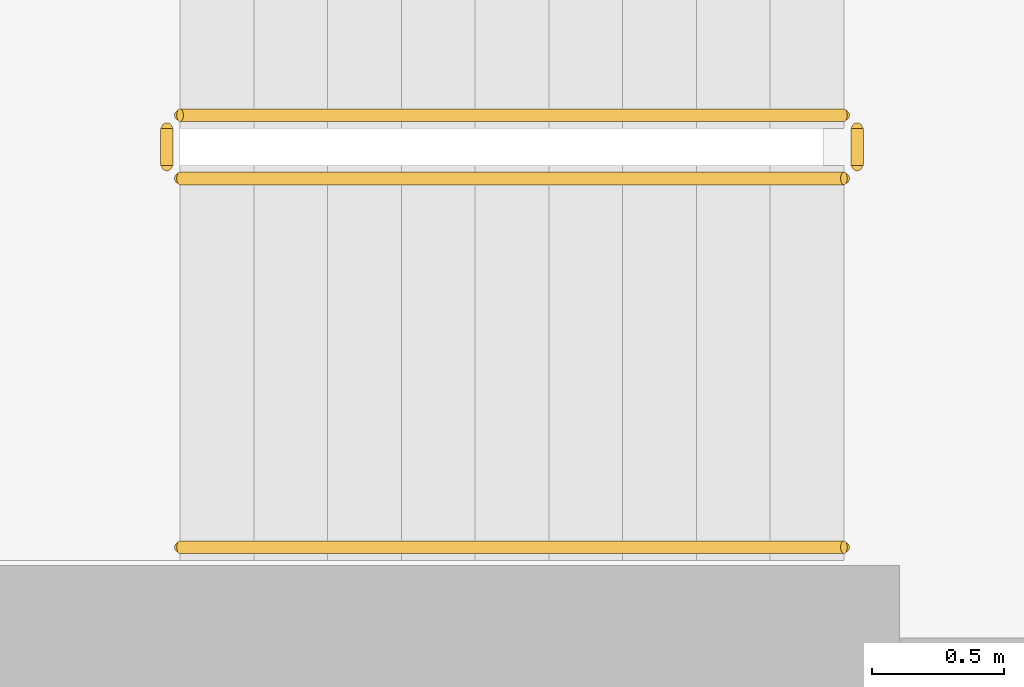
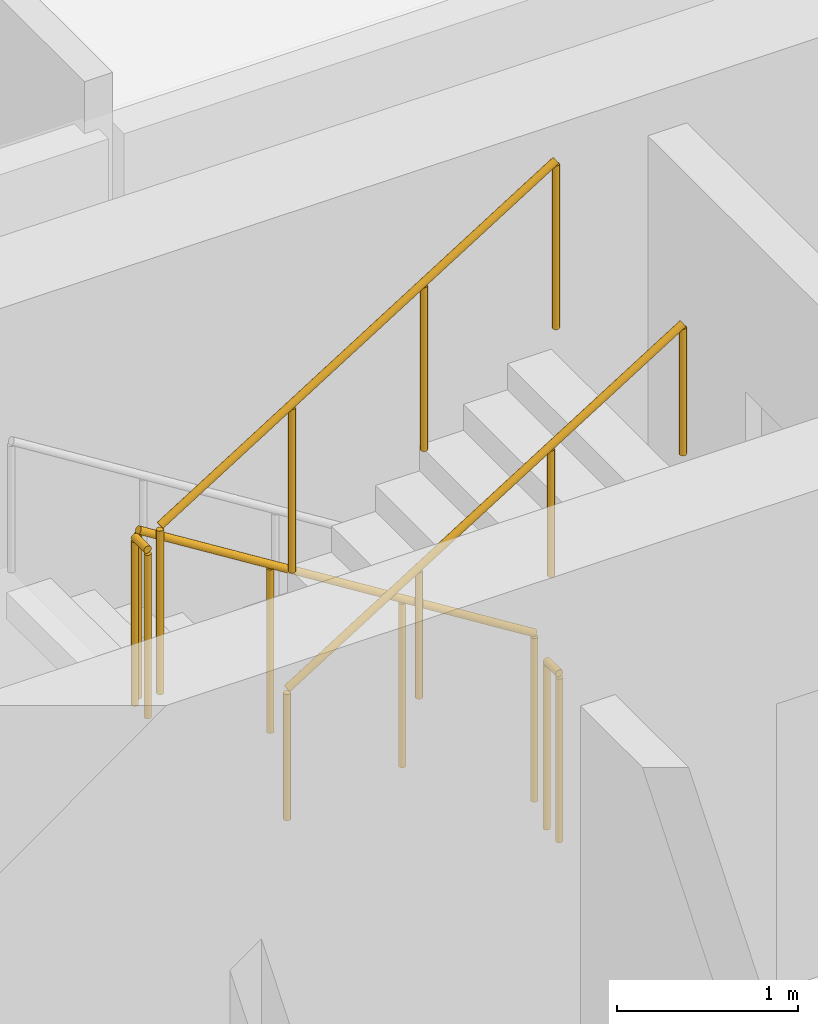
# One storey, part 24 of 26: 5 railings.
"""IFC4 building model written with IfcOpenShell, lengths in metres."""

import ifcopenshell
import ifcopenshell.guid

model = None  # the IFC model being written
_history = None  # IfcOwnerHistory: only IFC2X3 demands one
_inside = {}  # id of a spatial element -> (the spatial element, [elements in it])
_under = {}  # id of a project, library or spatial element -> (it, [spatial elements below it])
_declared = {}  # id of a project -> (the project, [libraries it declares])
_typed = {}  # id of a type object -> (the type object, [elements of that type])
_made_of = {}  # id of a material, layer set ... -> (it, [elements and type objects made of it])


def new_model(schema):
    """Start an empty IFC model of exactly this schema.

    Asked for "IFC4X3", IfcOpenShell would pick the latest addendum, in which some entities
    have other attributes; the version numbers below select the first issue.
    IFC2X3 requires an IfcOwnerHistory on every rooted entity: one is made here for all.
    """
    global model, _history
    if schema == "IFC4X3":
        model = ifcopenshell.file(schema_version=(4, 3, 0, 0))
    else:
        model = ifcopenshell.file(schema=schema)
    _inside.clear()
    _under.clear()
    _declared.clear()
    _typed.clear()
    _made_of.clear()
    _history = None
    if model.schema == "IFC2X3":
        org = make("IfcOrganization", Name="unknown")
        user = make(
            "IfcPersonAndOrganization",
            ThePerson=make("IfcPerson", FamilyName="unknown"),
            TheOrganization=org,
        )
        app = make(
            "IfcApplication",
            ApplicationDeveloper=org,
            Version="unknown",
            ApplicationFullName="unknown",
            ApplicationIdentifier="unknown",
        )
        _history = make(
            "IfcOwnerHistory",
            OwningUser=user,
            OwningApplication=app,
            ChangeAction="ADDED",
            CreationDate=0,
        )
    return model


def make(cls, **values):
    """One entity of the class cls with the attributes given. An attribute that is None is left unset."""
    return model.create_entity(
        cls, **{name: value for name, value in values.items() if value is not None}
    )


def rooted(cls, **values):
    """An entity with a GlobalId (a new one), such as an element, a storey or a relation."""
    return make(cls, GlobalId=ifcopenshell.guid.new(), OwnerHistory=_history, **values)


def si_unit(unit_type, name, prefix=None):
    """IfcSIUnit, for example si_unit("LENGTHUNIT", "METRE", prefix="MILLI")."""
    return make("IfcSIUnit", UnitType=unit_type, Prefix=prefix, Name=name)


def derived_unit(unit_type, elements):
    """IfcDerivedUnit: a product of units, each with its exponent."""
    return make(
        "IfcDerivedUnit",
        Elements=[
            make("IfcDerivedUnitElement", Unit=unit, Exponent=power)
            for unit, power in elements
        ],
        UnitType=unit_type,
    )


def assignment(units):
    """IfcUnitAssignment: the units of a project."""
    return None if units is None else make("IfcUnitAssignment", Units=units)


def point(xyz):
    """IfcCartesianPoint."""
    return None if xyz is None else make("IfcCartesianPoint", Coordinates=xyz)


def direction(xyz):
    """IfcDirection."""
    return None if xyz is None else make("IfcDirection", DirectionRatios=xyz)


def frame(location, z_axis=None, x_axis=None):
    """IfcAxis2Placement3D, a coordinate frame: its origin and axes. An axis left out is left unset."""
    return make(
        "IfcAxis2Placement3D",
        Location=point(location),
        Axis=direction(z_axis),
        RefDirection=direction(x_axis),
    )


def frame_2d(location, x_axis=None):
    """IfcAxis2Placement2D, a coordinate frame in the plane: its origin and x axis."""
    return make(
        "IfcAxis2Placement2D", Location=point(location), RefDirection=direction(x_axis)
    )


def origin():
    """The frame at (0, 0, 0) with its axes left unset."""
    return frame((0.0, 0.0, 0.0))


def origin_2d():
    """The frame at (0, 0) in the plane with its x axis left unset."""
    return frame_2d((0.0, 0.0))


def place(relative_to, where):
    """IfcLocalPlacement: puts the frame where relative to a parent placement (None: the world)."""
    return make(
        "IfcLocalPlacement", PlacementRelTo=relative_to, RelativePlacement=where
    )


def context(
    kind, dimensions, precision=None, world=None, true_north=None, identifier=None
):
    """IfcGeometricRepresentationContext, for example the 3D "Model" context."""
    return make(
        "IfcGeometricRepresentationContext",
        ContextIdentifier=identifier,
        ContextType=kind,
        CoordinateSpaceDimension=dimensions,
        Precision=precision,
        WorldCoordinateSystem=world,
        TrueNorth=true_north,
    )


def subcontext(parent, identifier, kind, view, scale=None):
    """IfcGeometricRepresentationSubContext, for example "Body" below "Model"."""
    return make(
        "IfcGeometricRepresentationSubContext",
        ContextIdentifier=identifier,
        ContextType=kind,
        ParentContext=parent,
        TargetScale=scale,
        TargetView=view,
    )


def project(units=None, contexts=None):
    """IfcProject with its units and contexts."""
    return rooted(
        "IfcProject",
        Name="project",
        RepresentationContexts=contexts,
        UnitsInContext=assignment(units),
    )


def spatial(cls, under=None, at=None, **own):
    """A site, building, storey or space (cls), placed at a placement, below another one or the project."""
    s = rooted(cls, ObjectPlacement=at, **own)
    if under is not None:
        _under.setdefault(under.id(), (under, []))[1].append(s)
    return s


def profile(cls, at=None, kind="AREA", **sizes):
    """A parametric profile (cls). Its sizes go by their IFC names, for example OverallWidth=200.0."""
    return make(cls, ProfileType=kind, Position=at, **sizes)


def circle(**sizes):
    """IfcCircleProfileDef."""
    return profile("IfcCircleProfileDef", **sizes)


def extrude(swept, where, along, depth):
    """IfcExtrudedAreaSolid: the profile swept, set in the frame where, extruded along a direction by depth."""
    return make(
        "IfcExtrudedAreaSolid",
        SweptArea=swept,
        Position=where,
        ExtrudedDirection=direction(along),
        Depth=depth,
    )


def shape(context_of_items, identifier, shape_type, items):
    """IfcShapeRepresentation: the items that make up one representation, for example the "Body"."""
    return make(
        "IfcShapeRepresentation",
        ContextOfItems=context_of_items,
        RepresentationIdentifier=identifier,
        RepresentationType=shape_type,
        Items=items,
    )


def material(Name=None, Category=None):
    """IfcMaterial."""
    return make("IfcMaterial", Name=Name, Category=Category)


def made_of(thing, what):
    """Note that an element or type object is made of a material, layer set ...; save() writes the relation."""
    if what is not None:
        _made_of.setdefault(what.id(), (what, []))[1].append(thing)
    return thing


def type_object(cls, material=None, **own):
    """A type object (cls), such as IfcWallType, which elements share."""
    return made_of(rooted(cls, **own), material)


def element(
    cls,
    number,
    at=None,
    inside=None,
    cuts=None,
    type_object=None,
    material=None,
    context=None,
    identifier="Body",
    shape_type=None,
    held_by="IfcProductDefinitionShape",
    body=None,
    shapes=None,
    **own,
):
    """One element of the class cls, such as IfcWall. Its Tag is "e" and its number.

    at: its placement. inside: the storey or other place that contains it. cuts: it is an
    opening in that element (IfcRelVoidsElement). A single representation is given by context,
    identifier, shape_type and body (its items); several are given by shapes. held_by: the class
    of the entity that holds the representations. save() writes the other relations.
    """
    e = rooted(cls, Tag="e%d" % number, ObjectPlacement=at, **own)
    if body is not None:
        shapes = [shape(context, identifier, shape_type, body)]
    if shapes is not None:
        e.Representation = make(held_by, Representations=shapes)
    if inside is not None:
        _inside.setdefault(inside.id(), (inside, []))[1].append(e)
    if cuts is not None:
        rooted(
            "IfcRelVoidsElement", RelatingBuildingElement=cuts, RelatedOpeningElement=e
        )
    if type_object is not None:
        _typed.setdefault(type_object.id(), (type_object, []))[1].append(e)
    return made_of(e, material)


def aggregate(whole, parts):
    """IfcRelAggregates: a whole, such as a stair, and the parts it consists of."""
    return rooted("IfcRelAggregates", RelatingObject=whole, RelatedObjects=parts)


def save(model, path):
    """Write the relations noted so far, then the file.

    IfcRelAggregates (storeys below a building ...), IfcRelContainedInSpatialStructure (elements
    in a storey), IfcRelDefinesByType, IfcRelAssociatesMaterial and IfcRelDeclares: one each for
    every whole, place, type object, material and project.
    """
    for whole, parts in _under.values():
        aggregate(whole, parts)
    for where, things in _inside.values():
        rooted(
            "IfcRelContainedInSpatialStructure",
            RelatedElements=things,
            RelatingStructure=where,
        )
    for kind, things in _typed.values():
        rooted("IfcRelDefinesByType", RelatedObjects=things, RelatingType=kind)
    for what, things in _made_of.values():
        rooted("IfcRelAssociatesMaterial", RelatedObjects=things, RelatingMaterial=what)
    for by, libraries in _declared.values():
        rooted("IfcRelDeclares", RelatingContext=by, RelatedDefinitions=libraries)
    model.write(path)


model = new_model("IFC4")

# Units and contexts
model_context = context("Model", 3, precision=1e-05, world=origin(), true_north=direction((0.0, 1.0)))
body_context = subcontext(model_context, "Body", "Model", "MODEL_VIEW")
ifc_project = project(units=[si_unit("LENGTHUNIT", "METRE"), si_unit("AREAUNIT", "SQUARE_METRE"), si_unit("VOLUMEUNIT", "CUBIC_METRE"), si_unit("PLANEANGLEUNIT", "RADIAN"), si_unit("MASSUNIT", "GRAM", prefix="KILO"), derived_unit("THERMALTRANSMITTANCEUNIT", [(si_unit("POWERUNIT", "WATT"), 1), (si_unit("LENGTHUNIT", "METRE"), -2), (si_unit("THERMODYNAMICTEMPERATUREUNIT", "KELVIN"), -1)])], contexts=[model_context])

# Site, building, storey
site_placement = place(None, origin())
site = spatial("IfcSite", under=ifc_project, at=site_placement, CompositionType="ELEMENT")
building_placement = place(site_placement, origin())
building = spatial("IfcBuilding", under=site, at=building_placement, Name="Kivonza Crest Hotel", CompositionType="ELEMENT")
storey_placement = place(building_placement, frame((0.0, 0.0, 45.0)))
storey = spatial("IfcBuildingStorey", under=building, at=storey_placement, Name="L11", CompositionType="ELEMENT", Elevation=45.0)

# Railings
ifc_material_1 = material(Name="Brushed stainless steel handrail", Category="steel")
railing_type_1 = type_object("IfcRailingType", Name="RL-HAND-900", PredefinedType="HANDRAIL", material=ifc_material_1)
railing_1_placement = place(storey_placement, frame((9.719970703125, 33.070068359375, 1.925048828125)))
element("IfcRailing", 1, at=railing_1_placement, inside=storey, type_object=railing_type_1, Name="L11 ST-T1-N stair handrail 2", PredefinedType="HANDRAIL", context=body_context, shape_type="SweptSolid", body=[
    extrude(circle(Radius=0.02392578125, at=origin_2d()), frame((0.0, 0.0, 0.8759765625), z_axis=(0.848007534815, 0.0, 0.529984170421), x_axis=(0.0, 1.0, 0.0)), (0.0, 0.0, 1.0), 2.9716796875),
    extrude(circle(Radius=0.02099609375, at=origin_2d()), origin(), (0.0, 0.0, 1.0), 0.851806640625),
    extrude(circle(Radius=0.02099609375, at=origin_2d()), frame((0.840087890625, 0.0, 0.52490234375)), (0.0, 0.0, 1.0), 0.851806640625),
    extrude(circle(Radius=0.02099609375, at=origin_2d()), frame((1.679931640625, 0.0, 1.050048828125)), (0.0, 0.0, 1.0), 0.851806640625),
    extrude(circle(Radius=0.02099609375, at=origin_2d()), frame((2.52001953125, 0.0, 1.574951171875)), (0.0, 0.0, 1.0), 0.851806640625),
])
ifc_material_2 = material(Name="Painted steel balustrade", Category="steel")
railing_type_2 = type_object("IfcRailingType", Name="RL-STAIR-1150", PredefinedType="BALUSTRADE", material=ifc_material_2)
railing_2_placement = place(storey_placement, frame((12.239990234375, 34.7099609375, 0.175048828125)))
element("IfcRailing", 2, at=railing_2_placement, inside=storey, type_object=railing_type_2, Name="L11 ST-T1-N stair guard 1", PredefinedType="BALUSTRADE", context=body_context, shape_type="SweptSolid", body=[
    extrude(circle(Radius=0.02392578125, at=origin_2d()), frame((0.0, 0.0, 1.1259765625), z_axis=(-0.848007534815, 0.0, 0.529984170421), x_axis=(0.0, -1.0, 0.0)), (0.0, 0.0, 1.0), 2.9716796875),
    extrude(circle(Radius=0.02099609375, at=origin_2d()), origin(), (0.0, 0.0, 1.0), 1.101806640625),
    extrude(circle(Radius=0.02099609375, at=origin_2d()), frame((-0.840087890625, 0.0, 0.52490234375)), (0.0, 0.0, 1.0), 1.101806640625),
    extrude(circle(Radius=0.02099609375, at=origin_2d()), frame((-1.679931640625, 0.0, 1.050048828125)), (0.0, 0.0, 1.0), 1.101806640625),
    extrude(circle(Radius=0.02099609375, at=origin_2d()), frame((-2.52001953125, 0.0, 1.574951171875)), (0.0, 0.0, 1.0), 1.101806640625),
])
railing_3_placement = place(storey_placement, frame((9.669921875, 34.659912109375, 1.75)))
element("IfcRailing", 3, at=railing_3_placement, inside=storey, type_object=railing_type_2, Name="L11 ST-T1-N stair guard 2", PredefinedType="BALUSTRADE", context=body_context, shape_type="SweptSolid", body=[
    extrude(circle(Radius=0.02392578125, at=origin_2d()), frame((0.0, 0.0, 1.1259765625), z_axis=(0.0, -1.0, 0.0), x_axis=(1.0, 0.0, 0.0)), (0.0, 0.0, 1.0), 0.139892578125),
    extrude(circle(Radius=0.02099609375, at=origin_2d()), origin(), (0.0, 0.0, 1.0), 1.101806640625),
    extrude(circle(Radius=0.02099609375, at=origin_2d()), frame((0.0, -0.139892578125, 0.0)), (0.0, 0.0, 1.0), 1.101806640625),
])
railing_4_placement = place(storey_placement, frame((9.719970703125, 34.469970703125, 1.925048828125)))
element("IfcRailing", 4, at=railing_4_placement, inside=storey, type_object=railing_type_2, Name="L11 ST-T1-N stair guard 3", PredefinedType="BALUSTRADE", context=body_context, shape_type="SweptSolid", body=[
    extrude(circle(Radius=0.02392578125, at=origin_2d()), frame((0.0, 0.0, 1.1259765625), z_axis=(0.848007534815, 0.0, 0.529984170421), x_axis=(0.0, 1.0, 0.0)), (0.0, 0.0, 1.0), 2.9716796875),
    extrude(circle(Radius=0.02099609375, at=origin_2d()), origin(), (0.0, 0.0, 1.0), 1.101806640625),
    extrude(circle(Radius=0.02099609375, at=origin_2d()), frame((0.840087890625, 0.0, 0.52490234375)), (0.0, 0.0, 1.0), 1.101806640625),
    extrude(circle(Radius=0.02099609375, at=origin_2d()), frame((1.679931640625, 0.0, 1.050048828125)), (0.0, 0.0, 1.0), 1.101806640625),
    extrude(circle(Radius=0.02099609375, at=origin_2d()), frame((2.52001953125, 0.0, 1.574951171875)), (0.0, 0.0, 1.0), 1.101806640625),
])
railing_5_placement = place(storey_placement, frame((12.2900390625, 34.659912109375, 0.0)))
element("IfcRailing", 5, at=railing_5_placement, inside=storey, type_object=railing_type_2, Name="L11 ST-T1-N stair guard 4", PredefinedType="BALUSTRADE", context=body_context, shape_type="SweptSolid", body=[
    extrude(circle(Radius=0.02392578125, at=origin_2d()), frame((0.0, 0.0, 1.1259765625), z_axis=(0.0, -1.0, 0.0), x_axis=(1.0, 0.0, 0.0)), (0.0, 0.0, 1.0), 0.139892578125),
    extrude(circle(Radius=0.02099609375, at=origin_2d()), origin(), (0.0, 0.0, 1.0), 1.101806640625),
    extrude(circle(Radius=0.02099609375, at=origin_2d()), frame((0.0, -0.139892578125, 0.0)), (0.0, 0.0, 1.0), 1.101806640625),
])

save(model, "model.ifc")
